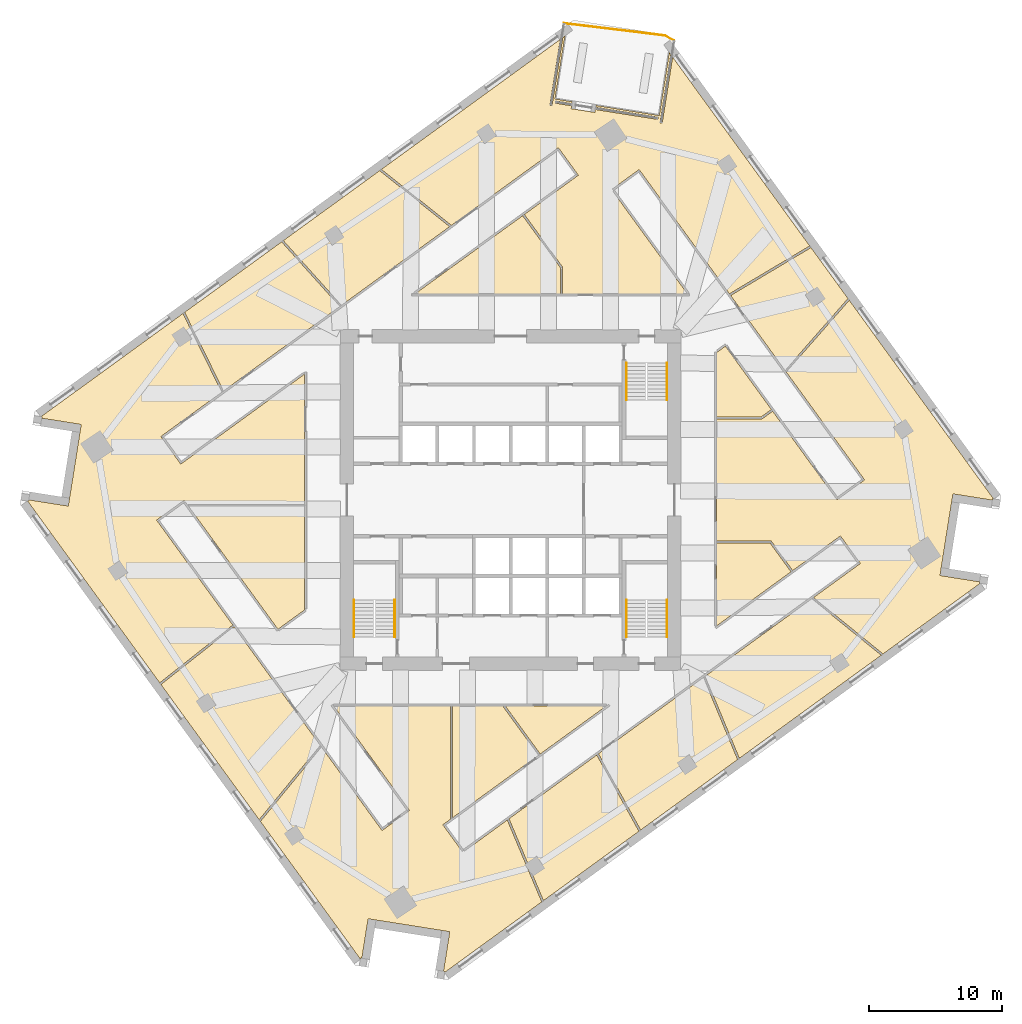
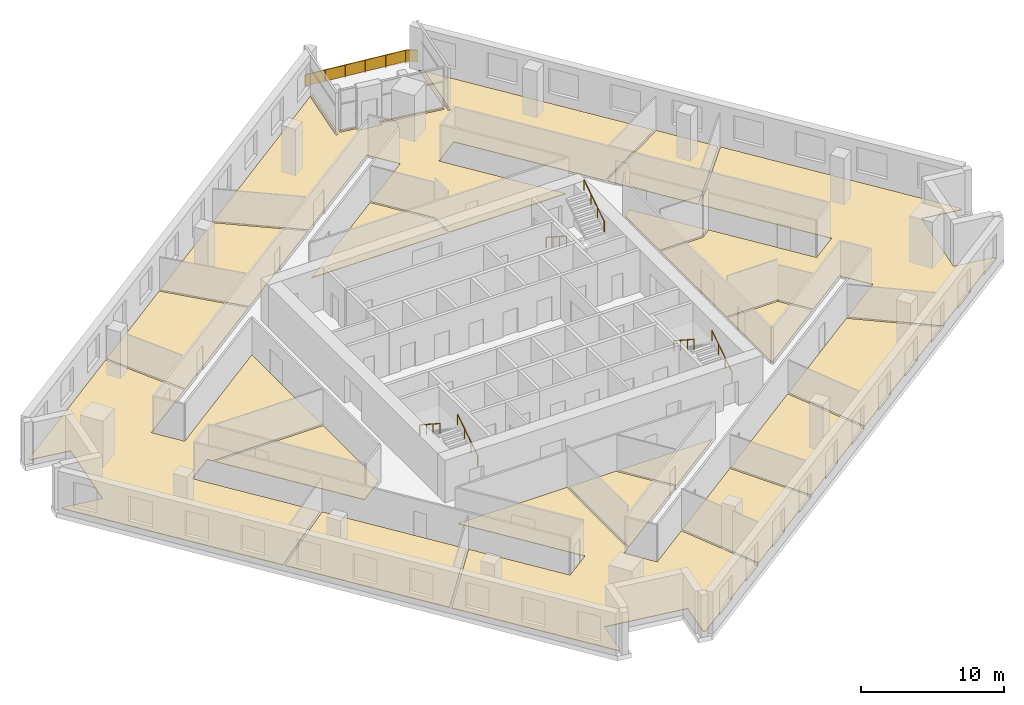
# One storey, part 10 of 11: 17 coverings, 7 railings.
"""IFC4 building model written with IfcOpenShell, lengths in metres."""

from ifc_helpers import new_model, si_unit, direction, frame, origin, origin_2d, place, context, subcontext, project, spatial, polyline, rectangle, circle, outline, extrude, material, layer, layer_set, type_object, element, save


model = new_model("IFC4")

# Units and contexts
model_context = context("Model", 3, precision=1e-05, world=origin(), true_north=direction((0.0, 1.0)))
body_context = subcontext(model_context, "Body", "Model", "MODEL_VIEW")
ifc_project = project(units=[si_unit("LENGTHUNIT", "METRE"), si_unit("AREAUNIT", "SQUARE_METRE"), si_unit("VOLUMEUNIT", "CUBIC_METRE"), si_unit("PLANEANGLEUNIT", "RADIAN"), si_unit("MASSUNIT", "GRAM", prefix="KILO")], contexts=[model_context])

# Site, building, storey
site_placement = place(None, origin())
site = spatial("IfcSite", under=ifc_project, at=site_placement, CompositionType="ELEMENT")
building_placement = place(site_placement, origin())
building = spatial("IfcBuilding", under=site, at=building_placement, Name="Dilmun Exchange Tower", CompositionType="ELEMENT")
storey_placement = place(building_placement, frame((0.0, 0.0, 171.699951171875)))
storey = spatial("IfcBuildingStorey", under=building, at=storey_placement, Name="L40", CompositionType="ELEMENT", Elevation=171.699951171875)

# Coverings
ifc_material_1 = material(Name="Carpet floor finish 50")
ifc_layer_1 = layer(ifc_material_1, 0.050048828125)
ifc_layer_set_1 = layer_set([ifc_layer_1], Name="Carpet floor finish 50")
covering_type_1 = type_object("IfcCoveringType", Name="Carpet floor finish 50", PredefinedType="FLOORING", material=ifc_layer_set_1)
covering_1_placement = place(storey_placement, origin())
element("IfcCovering", 1, at=covering_1_placement, inside=storey, type_object=covering_type_1, Name="Carpet floor finish 50 Open office 1", PredefinedType="FLOORING", context=body_context, shape_type="SweptSolid", body=[
    extrude(outline(polyline([(-21.6875, 8.09521484375), (-26.27099609375, 4.76513671875), (-24.772216796875, 2.7021484375), (-15.47509765625, 9.45703125), (-15.47509765625, -0.3203125), (-24.29931640625, -0.3203125), (-24.522705078125, -0.0126953125), (-26.585693359375, -1.51171875), (-20.861328125, -9.390625), (-26.357421875, -13.73681640625), (-36.276123046875, -0.085205078125), (-36.2060546875, -0.09619140625), (-36.205810546875, -0.09619140625), (-36.205810546875, -0.09619140625), (-36.20556640625, -0.09619140625), (-36.205322265625, -0.09619140625), (-36.205078125, -0.09619140625), (-36.205078125, -0.09619140625), (-36.204833984375, -0.095947265625), (-36.20458984375, -0.095947265625), (-36.20458984375, -0.095703125), (-36.204345703125, -0.095703125), (-36.2041015625, -0.095458984375), (-36.2041015625, -0.09521484375), (-36.2041015625, -0.09521484375), (-36.203857421875, -0.094970703125), (-36.203857421875, -0.0947265625), (-36.203857421875, -0.094482421875), (-36.186767578125, 0.013427734375), (-33.2255859375, -0.45556640625), (-33.225341796875, -0.45556640625), (-33.225341796875, -0.45556640625), (-33.22509765625, -0.45556640625), (-33.224853515625, -0.45556640625), (-33.224609375, -0.45556640625), (-33.224609375, -0.455322265625), (-33.224365234375, -0.455322265625), (-33.22412109375, -0.455078125), (-33.22412109375, -0.455078125), (-33.223876953125, -0.455078125), (-33.2236328125, -0.454833984375), (-33.2236328125, -0.45458984375), (-33.223388671875, -0.45458984375), (-33.223388671875, -0.454345703125), (-33.223388671875, -0.4541015625), (-33.223388671875, -0.453857421875), (-33.129638671875, 0.13818359375), (-33.12939453125, 0.138427734375), (-33.12939453125, 0.138671875), (-33.12939453125, 0.138916015625), (-32.347412109375, 5.07666015625), (-32.347412109375, 5.076904296875), (-32.347412109375, 5.076904296875), (-32.347412109375, 5.0771484375), (-32.25341796875, 5.669921875), (-32.25341796875, 5.669921875), (-32.25341796875, 5.670166015625), (-32.25341796875, 5.67041015625), (-32.25341796875, 5.670654296875), (-32.25341796875, 5.6708984375), (-32.253662109375, 5.6708984375), (-32.253662109375, 5.671142578125), (-32.25390625, 5.67138671875), (-32.25390625, 5.67138671875), (-32.25390625, 5.671630859375), (-32.254150390625, 5.671630859375), (-32.25439453125, 5.671875), (-32.25439453125, 5.671875), (-32.254638671875, 5.672119140625), (-32.2548828125, 5.672119140625), (-32.255126953125, 5.672119140625), (-35.21630859375, 6.14111328125), (-35.19921875, 6.248779296875), (-35.19921875, 6.2490234375), (-35.19921875, 6.249267578125), (-35.19921875, 6.24951171875), (-35.19921875, 6.249755859375), (-35.19921875, 6.25), (-35.19921875, 6.25), (-35.199462890625, 6.250244140625), (-35.199462890625, 6.25048828125), (-35.19970703125, 6.25048828125), (-35.19970703125, 6.250732421875), (-35.199951171875, 6.2509765625), (-35.199951171875, 6.2509765625), (-35.2001953125, 6.251220703125), (-35.200439453125, 6.251220703125), (-35.20068359375, 6.251220703125), (-35.20068359375, 6.251220703125), (-35.27099609375, 6.26220703125), (-24.610595703125, 14.007568359375), (-21.6875, 8.09521484375)])), origin(), (0.0, 0.0, 1.0), 0.050048828125),
])
covering_2_placement = place(storey_placement, origin())
element("IfcCovering", 2, at=covering_2_placement, inside=storey, type_object=covering_type_1, Name="Carpet floor finish 50 Training room", PredefinedType="FLOORING", context=body_context, shape_type="SweptSolid", body=[
    extrude(outline(polyline([(-20.773193359375, -9.511962890625), (-14.294921875, -18.428466796875), (-18.887939453125, -24.017578125), (-26.269287109375, -13.8583984375), (-20.773193359375, -9.511962890625)])), origin(), (0.0, 0.0, 1.0), 0.050048828125),
])
covering_3_placement = place(storey_placement, origin())
element("IfcCovering", 3, at=covering_3_placement, inside=storey, type_object=covering_type_1, Name="Carpet floor finish 50 Library 1", PredefinedType="FLOORING", context=body_context, shape_type="SweptSolid", body=[
    extrude(outline(polyline([(-24.4873046875, 14.096923828125), (-17.197509765625, 19.393310546875), (-12.827392578125, 14.532470703125), (-21.564453125, 8.184814453125), (-24.4873046875, 14.096923828125)])), origin(), (0.0, 0.0, 1.0), 0.050048828125),
])
covering_4_placement = place(storey_placement, origin())
element("IfcCovering", 4, at=covering_4_placement, inside=storey, type_object=covering_type_1, Name="Carpet floor finish 50 Boardroom 1", PredefinedType="FLOORING", context=body_context, shape_type="SweptSolid", body=[
    extrude(outline(polyline([(-17.4755859375, -9.71240234375), (-24.1904296875, -0.47021484375), (-15.47509765625, -0.47021484375), (-15.47509765625, -8.2587890625), (-17.4755859375, -9.71240234375)])), origin(), (0.0, 0.0, 1.0), 0.050048828125),
])
covering_5_placement = place(storey_placement, origin())
element("IfcCovering", 5, at=covering_5_placement, inside=storey, type_object=covering_type_1, Name="Carpet floor finish 50 Executive office 1", PredefinedType="FLOORING", context=body_context, shape_type="SweptSolid", body=[
    extrude(outline(polyline([(-12.70556640625, 14.62109375), (-17.075439453125, 19.482177734375), (-9.8369140625, 24.7412109375), (-4.573486328125, 20.529541015625), (-12.70556640625, 14.62109375)])), origin(), (0.0, 0.0, 1.0), 0.050048828125),
])
covering_6_placement = place(storey_placement, origin())
element("IfcCovering", 6, at=covering_6_placement, inside=storey, type_object=covering_type_1, Name="Carpet floor finish 50 Boardroom 2", PredefinedType="FLOORING", context=body_context, shape_type="SweptSolid", body=[
    extrude(outline(polyline([(-14.203857421875, -18.553955078125), (-9.653076171875, -24.8173828125), (-7.590087890625, -23.318603515625), (-13.288818359375, -15.47509765625), (-4.517578125, -15.47509765625), (-4.517578125, -23.982421875), (-5.085205078125, -24.394775390625), (-3.586181640625, -26.457763671875), (-0.248291015625, -24.03271484375), (2.34228515625, -30.186279296875), (-4.943359375, -35.479736328125), (-4.932373046875, -35.40966796875), (-4.932373046875, -35.409423828125), (-4.932373046875, -35.4091796875), (-4.932373046875, -35.408935546875), (-4.932373046875, -35.40869140625), (-4.932373046875, -35.40869140625), (-4.9326171875, -35.408447265625), (-4.9326171875, -35.408203125), (-4.9326171875, -35.408203125), (-4.932861328125, -35.407958984375), (-4.93310546875, -35.40771484375), (-4.93310546875, -35.40771484375), (-4.933349609375, -35.40771484375), (-4.933349609375, -35.407470703125), (-4.93359375, -35.407470703125), (-4.933837890625, -35.407470703125), (-4.93408203125, -35.4072265625), (-5.0419921875, -35.39013671875), (-4.572998046875, -32.42919921875), (-4.572998046875, -32.428955078125), (-4.572998046875, -32.4287109375), (-4.572998046875, -32.4287109375), (-4.572998046875, -32.428466796875), (-4.572998046875, -32.42822265625), (-4.572998046875, -32.427978515625), (-4.5732421875, -32.427734375), (-4.5732421875, -32.427734375), (-4.573486328125, -32.427490234375), (-4.573486328125, -32.427490234375), (-4.57373046875, -32.42724609375), (-4.57373046875, -32.427001953125), (-4.573974609375, -32.427001953125), (-4.57421875, -32.427001953125), (-4.574462890625, -32.427001953125), (-4.57470703125, -32.427001953125), (-5.167236328125, -32.3330078125), (-5.16748046875, -32.3330078125), (-5.16748046875, -32.3330078125), (-10.105712890625, -31.55078125), (-10.10595703125, -31.55078125), (-10.10595703125, -31.55078125), (-10.106201171875, -31.55078125), (-10.6982421875, -31.45703125), (-10.698486328125, -31.45703125), (-10.69873046875, -31.45703125), (-10.698974609375, -31.45703125), (-10.69921875, -31.45703125), (-10.69921875, -31.45703125), (-10.699462890625, -31.457275390625), (-10.69970703125, -31.457275390625), (-10.69970703125, -31.45751953125), (-10.699951171875, -31.45751953125), (-10.7001953125, -31.45751953125), (-10.7001953125, -31.457763671875), (-10.7001953125, -31.4580078125), (-10.700439453125, -31.4580078125), (-10.700439453125, -31.458251953125), (-10.700439453125, -31.45849609375), (-10.70068359375, -31.458740234375), (-11.169677734375, -34.419677734375), (-11.27734375, -34.402587890625), (-11.277587890625, -34.402587890625), (-11.27783203125, -34.402587890625), (-11.278076171875, -34.402587890625), (-11.2783203125, -34.402587890625), (-11.2783203125, -34.402587890625), (-11.278564453125, -34.40283203125), (-11.27880859375, -34.40283203125), (-11.27880859375, -34.403076171875), (-11.279052734375, -34.403076171875), (-11.279296875, -34.4033203125), (-11.279296875, -34.4033203125), (-11.279541015625, -34.403564453125), (-11.279541015625, -34.40380859375), (-11.279541015625, -34.40380859375), (-11.27978515625, -34.404052734375), (-11.27978515625, -34.404296875), (-11.290771484375, -34.474365234375), (-18.796875, -24.14306640625), (-14.203857421875, -18.553955078125)])), origin(), (0.0, 0.0, 1.0), 0.050048828125),
])
covering_7_placement = place(storey_placement, origin())
element("IfcCovering", 7, at=covering_7_placement, inside=storey, type_object=covering_type_1, Name="Carpet floor finish 50 Executive office 2", PredefinedType="FLOORING", context=body_context, shape_type="SweptSolid", body=[
    extrude(outline(polyline([(-4.367431640625, -15.47509765625), (-0.585693359375, -15.47509765625), (2.101318359375, -19.173583984375), (-4.367431640625, -23.87353515625), (-4.367431640625, -15.47509765625)])), origin(), (0.0, 0.0, 1.0), 0.050048828125),
])
covering_8_placement = place(storey_placement, origin())
element("IfcCovering", 8, at=covering_8_placement, inside=storey, type_object=covering_type_1, Name="Carpet floor finish 50 Garden lounge", PredefinedType="FLOORING", context=body_context, shape_type="SweptSolid", body=[
    extrude(outline(polyline([(-9.711181640625, 24.83251953125), (3.733154296875, 34.600341796875), (2.948974609375, 29.64892578125), (2.948974609375, 29.648681640625), (2.948974609375, 29.648681640625), (2.948974609375, 29.6484375), (2.948974609375, 29.648193359375), (2.948974609375, 29.648193359375), (2.94921875, 29.64794921875), (2.94921875, 29.647705078125), (2.94921875, 29.6474609375), (2.949462890625, 29.6474609375), (2.949462890625, 29.647216796875), (2.94970703125, 29.647216796875), (2.94970703125, 29.64697265625), (2.949951171875, 29.64697265625), (2.9501953125, 29.646728515625), (2.950439453125, 29.646728515625), (2.95068359375, 29.646728515625), (3.108642578125, 29.62158203125), (3.10888671875, 29.62158203125), (3.10888671875, 29.62158203125), (3.109130859375, 29.62158203125), (3.109375, 29.62158203125), (3.109619140625, 29.621826171875), (3.10986328125, 29.621826171875), (3.10986328125, 29.6220703125), (3.110107421875, 29.6220703125), (3.110107421875, 29.622314453125), (3.1103515625, 29.622314453125), (3.110595703125, 29.62255859375), (3.110595703125, 29.62255859375), (3.110595703125, 29.622802734375), (3.11083984375, 29.623046875), (3.11083984375, 29.623291015625), (3.11083984375, 29.623291015625), (3.9208984375, 34.73681640625), (4.08447265625, 34.855712890625), (3.334228515625, 30.119384765625), (4.630126953125, 29.914306640625), (4.60791015625, 29.77294921875), (3.385986328125, 29.966552734375), (3.3857421875, 29.966552734375), (3.385498046875, 29.966552734375), (3.385498046875, 29.966552734375), (3.38525390625, 29.966552734375), (3.385009765625, 29.966552734375), (3.385009765625, 29.96630859375), (3.384765625, 29.96630859375), (3.384521484375, 29.96630859375), (3.384521484375, 29.966064453125), (3.38427734375, 29.966064453125), (3.384033203125, 29.9658203125), (3.384033203125, 29.9658203125), (3.3837890625, 29.965576171875), (3.3837890625, 29.96533203125), (3.3837890625, 29.965087890625), (3.3837890625, 29.96484375), (3.358642578125, 29.806884765625), (3.358642578125, 29.806640625), (3.358642578125, 29.806396484375), (3.358642578125, 29.806396484375), (3.358642578125, 29.80615234375), (3.35888671875, 29.805908203125), (3.35888671875, 29.8056640625), (3.35888671875, 29.8056640625), (3.359130859375, 29.805419921875), (3.359130859375, 29.805419921875), (3.359375, 29.80517578125), (3.359619140625, 29.804931640625), (3.359619140625, 29.804931640625), (3.35986328125, 29.8046875), (3.360107421875, 29.8046875), (3.360107421875, 29.8046875), (3.3603515625, 29.8046875), (4.582275390625, 29.611083984375), (4.548095703125, 29.395751953125), (4.548095703125, 29.3955078125), (4.548095703125, 29.395263671875), (4.548095703125, 29.39501953125), (4.548095703125, 29.39501953125), (4.548095703125, 29.394775390625), (4.548095703125, 29.39453125), (4.54833984375, 29.394287109375), (4.54833984375, 29.394287109375), (4.548583984375, 29.39404296875), (4.548583984375, 29.393798828125), (4.548828125, 29.393798828125), (4.549072265625, 29.393798828125), (4.54931640625, 29.3935546875), (4.54931640625, 29.3935546875), (4.549560546875, 29.3935546875), (4.5498046875, 29.393310546875), (6.32763671875, 29.11181640625), (6.32763671875, 29.11181640625), (6.327880859375, 29.11181640625), (6.328125, 29.11181640625), (6.328369140625, 29.11181640625), (6.32861328125, 29.11181640625), (6.32861328125, 29.112060546875), (6.328857421875, 29.112060546875), (6.3291015625, 29.1123046875), (6.3291015625, 29.1123046875), (6.329345703125, 29.1123046875), (6.32958984375, 29.112548828125), (6.32958984375, 29.11279296875), (6.32958984375, 29.11279296875), (6.32958984375, 29.113037109375), (6.329833984375, 29.11328125), (6.329833984375, 29.113525390625), (6.364013671875, 29.328857421875), (11.042724609375, 28.587890625), (11.04296875, 28.587890625), (11.043212890625, 28.587890625), (11.04345703125, 28.587890625), (11.043701171875, 28.587890625), (11.043701171875, 28.587890625), (11.0439453125, 28.587890625), (11.044189453125, 28.588134765625), (11.044189453125, 28.588134765625), (11.04443359375, 28.58837890625), (11.044677734375, 28.58837890625), (11.044677734375, 28.588623046875), (11.044921875, 28.588623046875), (11.044921875, 28.5888671875), (11.044921875, 28.589111328125), (11.044921875, 28.58935546875), (11.045166015625, 28.589599609375), (11.070068359375, 28.74755859375), (11.070068359375, 28.747802734375), (11.070068359375, 28.747802734375), (11.070068359375, 28.748046875), (11.070068359375, 28.748291015625), (11.070068359375, 28.74853515625), (11.06982421875, 28.748779296875), (11.06982421875, 28.748779296875), (11.069580078125, 28.7490234375), (11.069580078125, 28.7490234375), (11.069580078125, 28.749267578125), (11.0693359375, 28.74951171875), (11.069091796875, 28.74951171875), (11.069091796875, 28.74951171875), (11.06884765625, 28.749755859375), (11.068603515625, 28.749755859375), (11.068359375, 28.749755859375), (6.3896484375, 29.49072265625), (6.412109375, 29.632080078125), (11.164794921875, 28.87939453125), (11.9150390625, 33.615478515625), (12.03369140625, 33.451904296875), (11.223876953125, 28.33837890625), (11.223876953125, 28.338134765625), (11.223876953125, 28.337890625), (11.223876953125, 28.337646484375), (11.223876953125, 28.33740234375), (11.22412109375, 28.33740234375), (11.22412109375, 28.337158203125), (11.22412109375, 28.3369140625), (11.224365234375, 28.3369140625), (11.224365234375, 28.336669921875), (11.224609375, 28.33642578125), (11.224609375, 28.33642578125), (11.224853515625, 28.336181640625), (11.22509765625, 28.336181640625), (11.22509765625, 28.336181640625), (11.225341796875, 28.336181640625), (11.2255859375, 28.3359375), (11.383544921875, 28.31103515625), (11.3837890625, 28.31103515625), (11.384033203125, 28.31103515625), (11.38427734375, 28.31103515625), (11.384521484375, 28.31103515625), (11.384521484375, 28.31103515625), (11.384765625, 28.311279296875), (11.385009765625, 28.311279296875), (11.385009765625, 28.311279296875), (11.38525390625, 28.3115234375), (11.385498046875, 28.3115234375), (11.385498046875, 28.311767578125), (11.385498046875, 28.31201171875), (11.3857421875, 28.31201171875), (11.3857421875, 28.312255859375), (11.385986328125, 28.3125), (11.385986328125, 28.312744140625), (12.170166015625, 33.26416015625), (22.473388671875, 19.0830078125), (16.434814453125, 15.4833984375), (9.653076171875, 24.8173828125), (7.590087890625, 23.318603515625), (13.288818359375, 15.47509765625), (3.89501953125, 15.47509765625), (3.89501953125, 17.5009765625), (1.02783203125, 21.447021484375), (5.085205078125, 24.394775390625), (3.586181640625, 26.457763671875), (-4.447509765625, 20.620849609375), (-9.711181640625, 24.83251953125)])), origin(), (0.0, 0.0, 1.0), 0.050048828125),
])
covering_9_placement = place(storey_placement, origin())
element("IfcCovering", 9, at=covering_9_placement, inside=storey, type_object=covering_type_1, Name="Carpet floor finish 50 Executive office 3", PredefinedType="FLOORING", context=body_context, shape_type="SweptSolid", body=[
    extrude(outline(polyline([(17.053955078125, -19.497802734375), (9.767578125, -24.79150390625), (6.594482421875, -19.06103515625), (14.4873046875, -13.32666015625), (17.053955078125, -19.497802734375)])), origin(), (0.0, 0.0, 1.0), 0.050048828125),
])
covering_10_placement = place(storey_placement, origin())
element("IfcCovering", 10, at=covering_10_placement, inside=storey, type_object=covering_type_1, Name="Carpet floor finish 50 Executive office 4", PredefinedType="FLOORING", context=body_context, shape_type="SweptSolid", body=[
    extrude(outline(polyline([(21.067138671875, -5.39404296875), (15.47509765625, -9.45703125), (15.47509765625, -3.228515625), (19.49365234375, -3.228515625), (21.067138671875, -5.39404296875)])), origin(), (0.0, 0.0, 1.0), 0.050048828125),
])
covering_11_placement = place(storey_placement, origin())
element("IfcCovering", 11, at=covering_11_placement, inside=storey, type_object=covering_type_1, Name="Carpet floor finish 50 Executive office 5", PredefinedType="FLOORING", context=body_context, shape_type="SweptSolid", body=[
    extrude(outline(polyline([(22.622802734375, -7.415771484375), (27.844482421875, -11.657958984375), (17.1787109375, -19.406982421875), (14.612060546875, -13.236083984375), (22.622802734375, -7.415771484375)])), origin(), (0.0, 0.0, 1.0), 0.050048828125),
])
covering_12_placement = place(storey_placement, origin())
element("IfcCovering", 12, at=covering_12_placement, inside=storey, type_object=covering_type_1, Name="Carpet floor finish 50 Library 2", PredefinedType="FLOORING", context=body_context, shape_type="SweptSolid", body=[
    extrude(outline(polyline([(22.561767578125, 18.961181640625), (25.34521484375, 15.13037109375), (20.612060546875, 9.73388671875), (16.523193359375, 15.361572265625), (22.561767578125, 18.961181640625)])), origin(), (0.0, 0.0, 1.0), 0.050048828125),
])
covering_13_placement = place(storey_placement, origin())
element("IfcCovering", 13, at=covering_13_placement, inside=storey, type_object=covering_type_1, Name="Carpet floor finish 50 Open office 2", PredefinedType="FLOORING", context=body_context, shape_type="SweptSolid", body=[
    extrude(outline(polyline([(24.522705078125, 0.0126953125), (26.585693359375, 1.51171875), (20.702392578125, 9.609619140625), (25.435546875, 15.005859375), (36.276123046875, 0.085205078125), (36.2060546875, 0.09619140625), (36.205810546875, 0.09619140625), (36.205810546875, 0.09619140625), (36.20556640625, 0.09619140625), (36.205322265625, 0.09619140625), (36.205078125, 0.09619140625), (36.205078125, 0.09619140625), (36.204833984375, 0.095947265625), (36.20458984375, 0.095947265625), (36.20458984375, 0.095703125), (36.204345703125, 0.095703125), (36.2041015625, 0.095458984375), (36.2041015625, 0.09521484375), (36.2041015625, 0.09521484375), (36.203857421875, 0.094970703125), (36.203857421875, 0.0947265625), (36.203857421875, 0.094482421875), (36.186767578125, -0.013427734375), (33.2255859375, 0.45556640625), (33.225341796875, 0.45556640625), (33.225341796875, 0.45556640625), (33.22509765625, 0.45556640625), (33.224853515625, 0.45556640625), (33.224609375, 0.45556640625), (33.224609375, 0.455322265625), (33.224365234375, 0.455322265625), (33.22412109375, 0.455078125), (33.22412109375, 0.455078125), (33.223876953125, 0.455078125), (33.2236328125, 0.454833984375), (33.2236328125, 0.45458984375), (33.223388671875, 0.45458984375), (33.223388671875, 0.454345703125), (33.223388671875, 0.4541015625), (33.223388671875, 0.453857421875), (33.129638671875, -0.13818359375), (33.12939453125, -0.138427734375), (33.12939453125, -0.138671875), (33.12939453125, -0.138916015625), (32.347412109375, -5.07666015625), (32.347412109375, -5.076904296875), (32.347412109375, -5.076904296875), (32.347412109375, -5.0771484375), (32.25341796875, -5.669921875), (32.25341796875, -5.669921875), (32.25341796875, -5.670166015625), (32.25341796875, -5.67041015625), (32.25341796875, -5.670654296875), (32.25341796875, -5.6708984375), (32.253662109375, -5.6708984375), (32.253662109375, -5.671142578125), (32.25390625, -5.67138671875), (32.25390625, -5.67138671875), (32.25390625, -5.671630859375), (32.254150390625, -5.671630859375), (32.25439453125, -5.671875), (32.25439453125, -5.671875), (32.254638671875, -5.672119140625), (32.2548828125, -5.672119140625), (32.255126953125, -5.672119140625), (35.21630859375, -6.14111328125), (35.19921875, -6.248779296875), (35.19921875, -6.2490234375), (35.19921875, -6.249267578125), (35.19921875, -6.24951171875), (35.19921875, -6.249755859375), (35.19921875, -6.25), (35.19921875, -6.25), (35.199462890625, -6.250244140625), (35.199462890625, -6.25048828125), (35.19970703125, -6.25048828125), (35.19970703125, -6.250732421875), (35.199951171875, -6.2509765625), (35.199951171875, -6.2509765625), (35.2001953125, -6.251220703125), (35.200439453125, -6.251220703125), (35.20068359375, -6.251220703125), (35.20068359375, -6.251220703125), (35.27099609375, -6.26220703125), (27.969970703125, -11.566650390625), (22.748291015625, -7.32470703125), (26.27099609375, -4.76513671875), (24.772216796875, -2.7021484375), (21.1884765625, -5.305908203125), (19.5703125, -3.07861328125), (15.47509765625, -3.07861328125), (15.47509765625, 6.094970703125), (18.88623046875, 6.094970703125), (19.68310546875, 6.674072265625), (24.522705078125, 0.0126953125)])), origin(), (0.0, 0.0, 1.0), 0.050048828125),
])

# Railings
ifc_material_2 = material(Name="Stainless steel", Category="steel")
railing_type_1 = type_object("IfcRailingType", Name="Stair handrail 900", PredefinedType="HANDRAIL", material=ifc_material_2)
railing_1_placement = place(storey_placement, frame((8.699951171875, 10.300048828125, 0.181884765625)))
element("IfcRailing", 14, at=railing_1_placement, inside=storey, type_object=railing_type_1, Name="L40 ST1 stair handrail 1", PredefinedType="HANDRAIL", context=body_context, shape_type="SweptSolid", body=[
    extrude(circle(Radius=0.02392578125, at=origin_2d()), frame((0.0, 0.0, 0.8759765625), z_axis=(0.0, -0.838705829183, 0.544584733623), x_axis=(1.0, 0.0, 0.0)), (0.0, 0.0, 1.0), 3.338623046875),
    extrude(circle(Radius=0.02099609375, at=origin_2d()), origin(), (0.0, 0.0, 1.0), 0.851806640625),
    extrude(circle(Radius=0.02099609375, at=origin_2d()), frame((0.0, -0.933349609375, 0.60595703125)), (0.0, 0.0, 1.0), 0.851806640625),
    extrude(circle(Radius=0.02099609375, at=origin_2d()), frame((0.0, -1.86669921875, 1.212158203125)), (0.0, 0.0, 1.0), 0.851806640625),
    extrude(circle(Radius=0.02099609375, at=origin_2d()), frame((0.0, -2.800048828125, 1.818115234375)), (0.0, 0.0, 1.0), 0.851806640625),
])
for number, where, name in (
    (15, (11.75, 7.5, 2.181884765625), "L40 ST1 stair handrail 2"),
    (16, (-8.699951171875, -10.300048828125, 0.181884765625), "L40 ST2 stair handrail 1"),
):
    element("IfcRailing", number, at=place(storey_placement, frame(where)), inside=storey, type_object=railing_type_1, Name=name, PredefinedType="HANDRAIL", context=body_context, shape_type="SweptSolid", body=[
        extrude(circle(Radius=0.02392578125, at=origin_2d()), frame((0.0, 0.0, 0.8759765625), z_axis=(0.0, 0.838705829183, 0.544584733623), x_axis=(-1.0, 0.0, 0.0)), (0.0, 0.0, 1.0), 3.338623046875),
        extrude(circle(Radius=0.02099609375, at=origin_2d()), origin(), (0.0, 0.0, 1.0), 0.851806640625),
        extrude(circle(Radius=0.02099609375, at=origin_2d()), frame((0.0, 0.933349609375, 0.60595703125)), (0.0, 0.0, 1.0), 0.851806640625),
        extrude(circle(Radius=0.02099609375, at=origin_2d()), frame((0.0, 1.86669921875, 1.212158203125)), (0.0, 0.0, 1.0), 0.851806640625),
        extrude(circle(Radius=0.02099609375, at=origin_2d()), frame((0.0, 2.800048828125, 1.818115234375)), (0.0, 0.0, 1.0), 0.851806640625),
    ])
railing_2_placement = place(storey_placement, frame((-11.75, -7.5, 2.181884765625)))
element("IfcRailing", 17, at=railing_2_placement, inside=storey, type_object=railing_type_1, Name="L40 ST2 stair handrail 2", PredefinedType="HANDRAIL", context=body_context, shape_type="SweptSolid", body=[
    extrude(circle(Radius=0.02392578125, at=origin_2d()), frame((0.0, 0.0, 0.8759765625), z_axis=(0.0, -0.838705829183, 0.544584733623), x_axis=(1.0, 0.0, 0.0)), (0.0, 0.0, 1.0), 3.338623046875),
    extrude(circle(Radius=0.02099609375, at=origin_2d()), origin(), (0.0, 0.0, 1.0), 0.851806640625),
    extrude(circle(Radius=0.02099609375, at=origin_2d()), frame((0.0, -0.933349609375, 0.60595703125)), (0.0, 0.0, 1.0), 0.851806640625),
    extrude(circle(Radius=0.02099609375, at=origin_2d()), frame((0.0, -1.86669921875, 1.212158203125)), (0.0, 0.0, 1.0), 0.851806640625),
    extrude(circle(Radius=0.02099609375, at=origin_2d()), frame((0.0, -2.800048828125, 1.818115234375)), (0.0, 0.0, 1.0), 0.851806640625),
])
railing_3_placement = place(storey_placement, frame((11.75, -10.300048828125, 0.181884765625)))
element("IfcRailing", 18, at=railing_3_placement, inside=storey, type_object=railing_type_1, Name="L40 ST3 stair handrail 1", PredefinedType="HANDRAIL", context=body_context, shape_type="SweptSolid", body=[
    extrude(circle(Radius=0.02392578125, at=origin_2d()), frame((0.0, 0.0, 0.8759765625), z_axis=(0.0, 0.838705829183, 0.544584733623), x_axis=(-1.0, 0.0, 0.0)), (0.0, 0.0, 1.0), 3.338623046875),
    extrude(circle(Radius=0.02099609375, at=origin_2d()), origin(), (0.0, 0.0, 1.0), 0.851806640625),
    extrude(circle(Radius=0.02099609375, at=origin_2d()), frame((0.0, 0.933349609375, 0.60595703125)), (0.0, 0.0, 1.0), 0.851806640625),
    extrude(circle(Radius=0.02099609375, at=origin_2d()), frame((0.0, 1.86669921875, 1.212158203125)), (0.0, 0.0, 1.0), 0.851806640625),
    extrude(circle(Radius=0.02099609375, at=origin_2d()), frame((0.0, 2.800048828125, 1.818115234375)), (0.0, 0.0, 1.0), 0.851806640625),
])
railing_4_placement = place(storey_placement, frame((8.699951171875, -7.5, 2.181884765625)))
element("IfcRailing", 19, at=railing_4_placement, inside=storey, type_object=railing_type_1, Name="L40 ST3 stair handrail 2", PredefinedType="HANDRAIL", context=body_context, shape_type="SweptSolid", body=[
    extrude(circle(Radius=0.02392578125, at=origin_2d()), frame((0.0, 0.0, 0.8759765625), z_axis=(0.0, -0.838705829183, 0.544584733623), x_axis=(1.0, 0.0, 0.0)), (0.0, 0.0, 1.0), 3.338623046875),
    extrude(circle(Radius=0.02099609375, at=origin_2d()), origin(), (0.0, 0.0, 1.0), 0.851806640625),
    extrude(circle(Radius=0.02099609375, at=origin_2d()), frame((0.0, -0.933349609375, 0.60595703125)), (0.0, 0.0, 1.0), 0.851806640625),
    extrude(circle(Radius=0.02099609375, at=origin_2d()), frame((0.0, -1.86669921875, 1.212158203125)), (0.0, 0.0, 1.0), 0.851806640625),
    extrude(circle(Radius=0.02099609375, at=origin_2d()), frame((0.0, -2.800048828125, 1.818115234375)), (0.0, 0.0, 1.0), 0.851806640625),
])

# Covering
ifc_material_3 = material(Name="Stone floor finish 50", Category="masonry")
ifc_layer_2 = layer(ifc_material_3, 0.050048828125)
ifc_layer_set_2 = layer_set([ifc_layer_2], Name="Stone floor finish 50")
covering_type_2 = type_object("IfcCoveringType", Name="Stone floor finish 50", PredefinedType="FLOORING", material=ifc_layer_set_2)
covering_14_placement = place(storey_placement, origin())
element("IfcCovering", 20, at=covering_14_placement, inside=storey, type_object=covering_type_2, Name="Stone floor finish 50 Reception", PredefinedType="FLOORING", context=body_context, shape_type="SweptSolid", body=[
    extrude(outline(polyline([(6.47216796875, -19.14990234375), (9.645263671875, -24.88037109375), (2.467041015625, -30.095703125), (-0.123779296875, -23.942138671875), (6.47216796875, -19.14990234375)])), origin(), (0.0, 0.0, 1.0), 0.050048828125),
])

# Railing
railing_type_2 = type_object("IfcRailingType", Name="Terrace guard 1100 stainless steel", PredefinedType="GUARDRAIL", material=ifc_material_2)
railing_5_placement = place(storey_placement, frame((4.007080078125, 35.8056640625, 0.0)))
element("IfcRailing", 21, at=railing_5_placement, inside=storey, type_object=railing_type_2, Name="Terrace guard 1", PredefinedType="GUARDRAIL", context=body_context, shape_type="SweptSolid", body=[
    extrude(circle(Radius=0.02392578125, at=origin_2d()), frame((0.0, 0.0, 1.076171875), z_axis=(0.99269404237, -0.120658767788, 0.0), x_axis=(0.120658767788, 0.99269404237, 0.0)), (0.0, 0.0, 1.0), 7.638427734375),
    extrude(rectangle(XDim=0.011962890625, YDim=0.951904296875, at=origin_2d()), frame((0.0, 0.0, 0.576171875), z_axis=(0.99269404237, -0.120658767788, 0.0), x_axis=(0.120658767788, 0.99269404237, 0.0)), (0.0, 0.0, 1.0), 7.638427734375),
    extrude(circle(Radius=0.02392578125, at=origin_2d()), frame((7.58251953125, -0.921630859375, 1.076171875), z_axis=(0.871870949232, -0.489735691864, 0.0), x_axis=(0.489735691864, 0.871870949232, 0.0)), (0.0, 0.0, 1.0), 0.794189453125),
    extrude(rectangle(XDim=0.011962890625, YDim=0.951904296875, at=origin_2d()), frame((7.58251953125, -0.921630859375, 0.576171875), z_axis=(0.871870949232, -0.489735691864, 0.0), x_axis=(0.489735691864, 0.871870949232, 0.0)), (0.0, 0.0, 1.0), 0.794189453125),
    extrude(circle(Radius=0.02099609375, at=origin_2d()), origin(), (0.0, 0.0, 1.0), 1.052001953125),
    extrude(circle(Radius=0.02099609375, at=origin_2d()), frame((1.5166015625, -0.184326171875, 0.0)), (0.0, 0.0, 1.0), 1.052001953125),
    extrude(circle(Radius=0.02099609375, at=origin_2d()), frame((3.032958984375, -0.36865234375, 0.0)), (0.0, 0.0, 1.0), 1.052001953125),
    extrude(circle(Radius=0.02099609375, at=origin_2d()), frame((4.549560546875, -0.552978515625, 0.0)), (0.0, 0.0, 1.0), 1.052001953125),
    extrude(circle(Radius=0.02099609375, at=origin_2d()), frame((6.06591796875, -0.7373046875, 0.0)), (0.0, 0.0, 1.0), 1.052001953125),
    extrude(circle(Radius=0.02099609375, at=origin_2d()), frame((7.58251953125, -0.921630859375, 0.0)), (0.0, 0.0, 1.0), 1.052001953125),
    extrude(circle(Radius=0.02099609375, at=origin_2d()), frame((8.27490234375, -1.310546875, 0.0)), (0.0, 0.0, 1.0), 1.052001953125),
])

# Coverings
ifc_material_4 = material(Name="Tile floor finish 50")
ifc_layer_3 = layer(ifc_material_4, 0.050048828125)
ifc_layer_set_3 = layer_set([ifc_layer_3], Name="Tile floor finish 50")
covering_type_3 = type_object("IfcCoveringType", Name="Tile floor finish 50", PredefinedType="FLOORING", material=ifc_layer_set_3)
covering_15_placement = place(storey_placement, origin())
element("IfcCovering", 22, at=covering_15_placement, inside=storey, type_object=covering_type_3, Name="Tile floor finish 50 Pantry 1", PredefinedType="FLOORING", context=body_context, shape_type="SweptSolid", body=[
    extrude(outline(polyline([(3.7451171875, 17.4521484375), (3.7451171875, 15.47509765625), (-7.19189453125, 15.47509765625), (0.906494140625, 21.35888671875), (3.7451171875, 17.4521484375)])), origin(), (0.0, 0.0, 1.0), 0.050048828125),
])
covering_16_placement = place(storey_placement, origin())
element("IfcCovering", 23, at=covering_16_placement, inside=storey, type_object=covering_type_3, Name="Tile floor finish 50 Pantry 2", PredefinedType="FLOORING", context=body_context, shape_type="SweptSolid", body=[
    extrude(outline(polyline([(-0.400390625, -15.47509765625), (7.19189453125, -15.47509765625), (6.576904296875, -15.921875), (2.22265625, -19.08544921875), (-0.400390625, -15.47509765625)])), origin(), (0.0, 0.0, 1.0), 0.050048828125),
])
covering_17_placement = place(storey_placement, origin())
element("IfcCovering", 24, at=covering_17_placement, inside=storey, type_object=covering_type_3, Name="Tile floor finish 50 Pantry 3", PredefinedType="FLOORING", context=body_context, shape_type="SweptSolid", body=[
    extrude(outline(polyline([(16.13623046875, 11.555908203125), (19.594970703125, 6.79541015625), (18.837646484375, 6.2451171875), (15.47509765625, 6.2451171875), (15.47509765625, 11.07568359375), (16.13623046875, 11.555908203125)])), origin(), (0.0, 0.0, 1.0), 0.050048828125),
])

save(model, "model.ifc")
